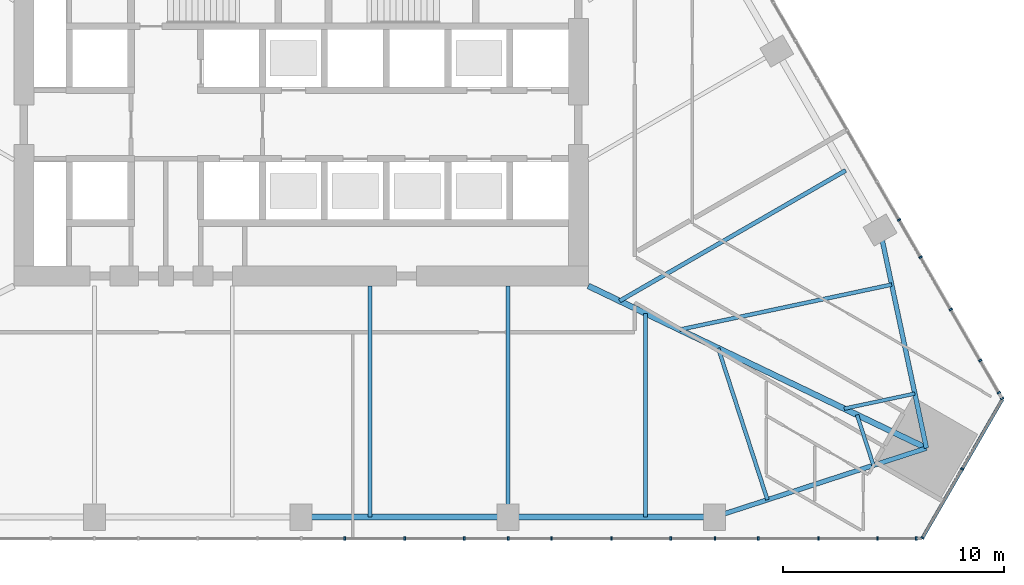
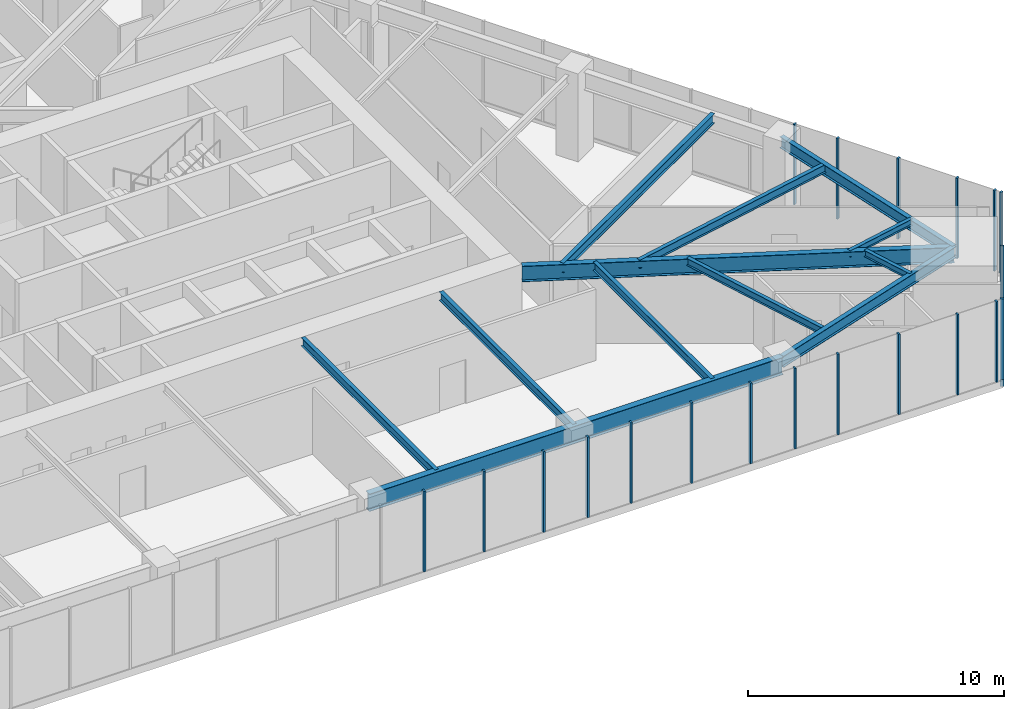
# One storey, part 6 of 22: 21 members, 12 beams, 3 elements without a shape of their own.
"""IFC4 building model written with IfcOpenShell, lengths in metres."""

from ifc_helpers import new_model, si_unit, direction, frame, origin, origin_2d, place, context, subcontext, project, spatial, rectangle, i_section, extrude, material, layer, layer_set, material_profile, profile_set, type_object, element, aggregate, save


model = new_model("IFC4")

# Units and contexts
model_context = context("Model", 3, precision=1e-05, world=origin(), true_north=direction((0.0, 1.0)))
body_context = subcontext(model_context, "Body", "Model", "MODEL_VIEW")
ifc_project = project(units=[si_unit("LENGTHUNIT", "METRE"), si_unit("AREAUNIT", "SQUARE_METRE"), si_unit("VOLUMEUNIT", "CUBIC_METRE"), si_unit("PLANEANGLEUNIT", "RADIAN"), si_unit("MASSUNIT", "GRAM", prefix="KILO")], contexts=[model_context])

# Site, building, storey
site_placement = place(None, origin())
site = spatial("IfcSite", under=ifc_project, at=site_placement, CompositionType="ELEMENT")
building_placement = place(site_placement, origin())
building = spatial("IfcBuilding", under=site, at=building_placement, Name="Firuza Gate Tower and Library", CompositionType="ELEMENT")
storey_placement = place(building_placement, frame((0.0, 0.0, 111.39990234375)))
storey = spatial("IfcBuildingStorey", under=building, at=storey_placement, Name="L25", CompositionType="ELEMENT", Elevation=111.39990234375)

# Curtain wall, members
ifc_material_1 = material(Name="Aluminium 6063-T6", Category="aluminium")
ifc_layer_1 = layer(ifc_material_1, 0.14990234375)
ifc_layer_set_1 = layer_set([ifc_layer_1], Name="Unitised curtain wall, offices")
curtain_wall_type_1 = type_object("IfcCurtainWallType", Name="Unitised curtain wall, offices", PredefinedType="NOTDEFINED", material=ifc_layer_set_1)
placement = place(storey_placement, origin())
curtain_wall_1 = element("IfcCurtainWall", 1, at=placement, inside=storey, type_object=curtain_wall_type_1, Name="CW1 L25 S face", PredefinedType="NOTDEFINED")
ifc_material_2 = material(Name="Aluminium 6063-T6", Category="aluminium")
ifc_material_profile_1 = material_profile(ifc_material_2, rectangle(XDim=0.14990234375, YDim=0.080078125, at=origin_2d()))
ifc_profile_set_1 = profile_set([ifc_material_profile_1], Name="Aluminium 6063-T6")
member_type_1 = type_object("IfcMemberType", Name="Curtain wall mullion 80x150", PredefinedType="MULLION", material=ifc_profile_set_1)
member_1_placement = place(storey_placement, frame((79.684326171875, 54.566162109375, 0.150146484375), z_axis=(0.0, 0.0, 1.0), x_axis=(0.0, 1.0, 0.0)))
member_1 = element("IfcMember", 2, at=member_1_placement, type_object=member_type_1, Name="Mullion", PredefinedType="MULLION", context=body_context, shape_type="SweptSolid", body=[
    extrude(rectangle(XDim=0.14990234375, YDim=0.080078125, at=origin_2d()), origin(), (0.0, 0.0, 1.0), 3.849853515625),
])
member_2_placement = place(storey_placement, frame((84.36865234375, 54.566162109375, 0.150146484375), z_axis=(0.0, 0.0, 1.0), x_axis=(0.0, 1.0, 0.0)))
member_2 = element("IfcMember", 3, at=member_2_placement, type_object=member_type_1, Name="Mullion", PredefinedType="MULLION", context=body_context, shape_type="SweptSolid", body=[
    extrude(rectangle(XDim=0.14990234375, YDim=0.080078125, at=origin_2d()), origin(), (0.0, 0.0, 1.0), 3.849853515625),
])
member_3_placement = place(storey_placement, frame((89.052978515625, 54.566162109375, 0.150146484375), z_axis=(0.0, 0.0, 1.0), x_axis=(0.0, 1.0, 0.0)))
member_3 = element("IfcMember", 4, at=member_3_placement, type_object=member_type_1, Name="Mullion", PredefinedType="MULLION", context=body_context, shape_type="SweptSolid", body=[
    extrude(rectangle(XDim=0.14990234375, YDim=0.080078125, at=origin_2d()), origin(), (0.0, 0.0, 1.0), 3.849853515625),
])
member_4_placement = place(storey_placement, frame((93.7373046875, 54.566162109375, 0.150146484375), z_axis=(0.0, 0.0, 1.0), x_axis=(0.0, 1.0, 0.0)))
member_4 = element("IfcMember", 5, at=member_4_placement, type_object=member_type_1, Name="Mullion", PredefinedType="MULLION", context=body_context, shape_type="SweptSolid", body=[
    extrude(rectangle(XDim=0.14990234375, YDim=0.080078125, at=origin_2d()), origin(), (0.0, 0.0, 1.0), 3.849853515625),
])
member_5_placement = place(storey_placement, frame((98.421630859375, 54.566162109375, 0.150146484375), z_axis=(0.0, 0.0, 1.0), x_axis=(0.0, 1.0, 0.0)))
member_5 = element("IfcMember", 6, at=member_5_placement, type_object=member_type_1, Name="Mullion", PredefinedType="MULLION", context=body_context, shape_type="SweptSolid", body=[
    extrude(rectangle(XDim=0.14990234375, YDim=0.080078125, at=origin_2d()), origin(), (0.0, 0.0, 1.0), 3.849853515625),
])
member_6_placement = place(storey_placement, frame((76.9765625, 54.566162109375, 0.150146484375), z_axis=(0.0, 0.0, 1.0), x_axis=(0.0, 1.0, 0.0)))
member_6 = element("IfcMember", 7, at=member_6_placement, type_object=member_type_1, Name="Mullion", PredefinedType="MULLION", context=body_context, shape_type="SweptSolid", body=[
    extrude(rectangle(XDim=0.14990234375, YDim=0.080078125, at=origin_2d()), origin(), (0.0, 0.0, 1.0), 3.849853515625),
])
member_7_placement = place(storey_placement, frame((82.377685546875, 54.566162109375, 0.150146484375), z_axis=(0.0, 0.0, 1.0), x_axis=(0.0, 1.0, 0.0)))
member_7 = element("IfcMember", 8, at=member_7_placement, type_object=member_type_1, Name="Mullion", PredefinedType="MULLION", context=body_context, shape_type="SweptSolid", body=[
    extrude(rectangle(XDim=0.14990234375, YDim=0.080078125, at=origin_2d()), origin(), (0.0, 0.0, 1.0), 3.849853515625),
])
member_8_placement = place(storey_placement, frame((86.330810546875, 54.566162109375, 0.150146484375), z_axis=(0.0, 0.0, 1.0), x_axis=(0.0, 1.0, 0.0)))
member_8 = element("IfcMember", 9, at=member_8_placement, type_object=member_type_1, Name="Mullion", PredefinedType="MULLION", context=body_context, shape_type="SweptSolid", body=[
    extrude(rectangle(XDim=0.14990234375, YDim=0.080078125, at=origin_2d()), origin(), (0.0, 0.0, 1.0), 3.849853515625),
])
member_9_placement = place(storey_placement, frame((91.73193359375, 54.566162109375, 0.150146484375), z_axis=(0.0, 0.0, 1.0), x_axis=(0.0, 1.0, 0.0)))
member_9 = element("IfcMember", 10, at=member_9_placement, type_object=member_type_1, Name="Mullion", PredefinedType="MULLION", context=body_context, shape_type="SweptSolid", body=[
    extrude(rectangle(XDim=0.14990234375, YDim=0.080078125, at=origin_2d()), origin(), (0.0, 0.0, 1.0), 3.849853515625),
])
member_10_placement = place(storey_placement, frame((95.684814453125, 54.566162109375, 0.150146484375), z_axis=(0.0, 0.0, 1.0), x_axis=(0.0, 1.0, 0.0)))
member_10 = element("IfcMember", 11, at=member_10_placement, type_object=member_type_1, Name="Mullion", PredefinedType="MULLION", context=body_context, shape_type="SweptSolid", body=[
    extrude(rectangle(XDim=0.14990234375, YDim=0.080078125, at=origin_2d()), origin(), (0.0, 0.0, 1.0), 3.849853515625),
])
member_11_placement = place(storey_placement, frame((101.086181640625, 54.566162109375, 0.150146484375), z_axis=(0.0, 0.0, 1.0), x_axis=(0.0, 1.0, 0.0)))
member_11 = element("IfcMember", 12, at=member_11_placement, type_object=member_type_1, Name="Mullion", PredefinedType="MULLION", context=body_context, shape_type="SweptSolid", body=[
    extrude(rectangle(XDim=0.14990234375, YDim=0.080078125, at=origin_2d()), origin(), (0.0, 0.0, 1.0), 3.849853515625),
])
member_12_placement = place(storey_placement, frame((102.83984375, 54.566162109375, 0.150146484375), z_axis=(0.0, 0.0, 1.0), x_axis=(0.0, 1.0, 0.0)))
member_12 = element("IfcMember", 13, at=member_12_placement, type_object=member_type_1, Name="Mullion", PredefinedType="MULLION", context=body_context, shape_type="SweptSolid", body=[
    extrude(rectangle(XDim=0.14990234375, YDim=0.080078125, at=origin_2d()), origin(), (0.0, 0.0, 1.0), 3.849853515625),
])
aggregate(curtain_wall_1, [member_1, member_2, member_3, member_4, member_5, member_6, member_7, member_8, member_9, member_10, member_11, member_12])

ifc_material_3 = material(Name="Aluminium 6063-T6", Category="aluminium")
ifc_layer_2 = layer(ifc_material_3, 0.14990234375)
ifc_layer_set_2 = layer_set([ifc_layer_2], Name="Corner curtain wall, chamfers")
curtain_wall_type_2 = type_object("IfcCurtainWallType", Name="Corner curtain wall, chamfers", PredefinedType="NOTDEFINED", material=ifc_layer_set_2)
curtain_wall_2 = element("IfcCurtainWall", 14, at=placement, inside=storey, type_object=curtain_wall_type_2, Name="CW4 L25 SE corner", PredefinedType="NOTDEFINED")
member_13_placement = place(storey_placement, frame((103.1259765625, 54.600830078125, 0.150146484375), z_axis=(0.0, 0.0, 1.0), x_axis=(-0.866025403784, 0.5, 0.0)))
member_13 = element("IfcMember", 15, at=member_13_placement, type_object=member_type_1, Name="Mullion", PredefinedType="MULLION", context=body_context, shape_type="SweptSolid", body=[
    extrude(rectangle(XDim=0.14990234375, YDim=0.080078125, at=origin_2d()), origin(), (0.0, 0.0, 1.0), 3.849853515625),
])
member_14_placement = place(storey_placement, frame((104.927490234375, 57.72119140625, 0.150146484375), z_axis=(0.0, 0.0, 1.0), x_axis=(-0.866025403784, 0.5, 0.0)))
member_14 = element("IfcMember", 16, at=member_14_placement, type_object=member_type_1, Name="Mullion", PredefinedType="MULLION", context=body_context, shape_type="SweptSolid", body=[
    extrude(rectangle(XDim=0.14990234375, YDim=0.080078125, at=origin_2d()), origin(), (0.0, 0.0, 1.0), 3.849853515625),
])

curtain_wall_3 = element("IfcCurtainWall", 17, at=placement, inside=storey, type_object=curtain_wall_type_1, Name="CW1 L25 E face", PredefinedType="NOTDEFINED")
member_15_placement = place(storey_placement, frame((106.729248046875, 60.9111328125, 0.150146484375), z_axis=(0.0, 0.0, 1.0), x_axis=(-0.866025403784, -0.5, 0.0)))
member_15 = element("IfcMember", 18, at=member_15_placement, type_object=member_type_1, Name="Mullion", PredefinedType="MULLION", context=body_context, shape_type="SweptSolid", body=[
    extrude(rectangle(XDim=0.14990234375, YDim=0.080078125, at=origin_2d()), origin(), (0.0, 0.0, 1.0), 3.849853515625),
])
member_16_placement = place(storey_placement, frame((104.406982421875, 64.933349609375, 0.150146484375), z_axis=(0.0, 0.0, 1.0), x_axis=(-0.866025403784, -0.5, 0.0)))
member_16 = element("IfcMember", 19, at=member_16_placement, type_object=member_type_1, Name="Mullion", PredefinedType="MULLION", context=body_context, shape_type="SweptSolid", body=[
    extrude(rectangle(XDim=0.14990234375, YDim=0.080078125, at=origin_2d()), origin(), (0.0, 0.0, 1.0), 3.849853515625),
])
member_17_placement = place(storey_placement, frame((102.06494140625, 68.989990234375, 0.150146484375), z_axis=(0.0, 0.0, 1.0), x_axis=(-0.866025403784, -0.5, 0.0)))
member_17 = element("IfcMember", 20, at=member_17_placement, type_object=member_type_1, Name="Mullion", PredefinedType="MULLION", context=body_context, shape_type="SweptSolid", body=[
    extrude(rectangle(XDim=0.14990234375, YDim=0.080078125, at=origin_2d()), origin(), (0.0, 0.0, 1.0), 3.849853515625),
])
member_18_placement = place(storey_placement, frame((106.583740234375, 61.163330078125, 0.150146484375), z_axis=(0.0, 0.0, 1.0), x_axis=(-0.866025403784, -0.5, 0.0)))
member_18 = element("IfcMember", 21, at=member_18_placement, type_object=member_type_1, Name="Mullion", PredefinedType="MULLION", context=body_context, shape_type="SweptSolid", body=[
    extrude(rectangle(XDim=0.14990234375, YDim=0.080078125, at=origin_2d()), origin(), (0.0, 0.0, 1.0), 3.849853515625),
])
member_19_placement = place(storey_placement, frame((105.7392578125, 62.625732421875, 0.150146484375), z_axis=(0.0, 0.0, 1.0), x_axis=(-0.866025403784, -0.5, 0.0)))
member_19 = element("IfcMember", 22, at=member_19_placement, type_object=member_type_1, Name="Mullion", PredefinedType="MULLION", context=body_context, shape_type="SweptSolid", body=[
    extrude(rectangle(XDim=0.14990234375, YDim=0.080078125, at=origin_2d()), origin(), (0.0, 0.0, 1.0), 3.849853515625),
])
member_20_placement = place(storey_placement, frame((103.038818359375, 67.30322265625, 0.150146484375), z_axis=(0.0, 0.0, 1.0), x_axis=(-0.866025403784, -0.5, 0.0)))
member_20 = element("IfcMember", 23, at=member_20_placement, type_object=member_type_1, Name="Mullion", PredefinedType="MULLION", context=body_context, shape_type="SweptSolid", body=[
    extrude(rectangle(XDim=0.14990234375, YDim=0.080078125, at=origin_2d()), origin(), (0.0, 0.0, 1.0), 3.849853515625),
])
aggregate(curtain_wall_3, [member_15, member_16, member_17, member_18, member_19, member_20])

# Member
ifc_material_4 = material(Name="Aluminium 6063-T6", Category="aluminium")
ifc_material_profile_2 = material_profile(ifc_material_4, rectangle(XDim=0.14990234375, YDim=0.35009765625, at=origin_2d()))
ifc_profile_set_2 = profile_set([ifc_material_profile_2], Name="Aluminium 6063-T6")
member_type_2 = type_object("IfcMemberType", Name="Curtain wall transom 350x150", PredefinedType="USERDEFINED", material=ifc_profile_set_2)
member_21_placement = place(storey_placement, frame((103.10595703125, 54.566162109375, -0.02490234375), z_axis=(0.500005719219, 0.866022101766, 0.0), x_axis=(-0.866022101766, 0.500005719219, 0.0)))
member_21 = element("IfcMember", 24, at=member_21_placement, type_object=member_type_2, Name="Transom", ObjectType="TRANSOM", PredefinedType="USERDEFINED", context=body_context, shape_type="SweptSolid", body=[
    extrude(rectangle(XDim=0.14990234375, YDim=0.35009765625, at=origin_2d()), origin(), (0.0, 0.0, 1.0), 7.28662109375),
])

aggregate(curtain_wall_2, [member_13, member_14, member_21])

# Beams
ifc_material_5 = material(Name="Steel S355", Category="steel")
ifc_material_profile_3 = material_profile(ifc_material_5, i_section(OverallWidth=0.1650390625, OverallDepth=0.31005859375, WebThickness=0.005859375, FlangeThickness=0.009765625, at=origin_2d()))
ifc_profile_set_3 = profile_set([ifc_material_profile_3], Name="Steel S355")
beam_type_1 = type_object("IfcBeamType", Name="W310x39 Floor beam", PredefinedType="JOIST", material=ifc_profile_set_3)
beam_1_placement = place(storey_placement, frame((100.905029296875, 57.87939453125, 3.84521484375), z_axis=(-0.308998819995, 0.951062421317, 0.0), x_axis=(-0.951062421317, -0.308998819995, 0.0)))
element("IfcBeam", 25, at=beam_1_placement, inside=storey, type_object=beam_type_1, Name="Floor beam L25 s31", PredefinedType="JOIST", context=body_context, shape_type="SweptSolid", body=[
    extrude(i_section(OverallWidth=0.1650390625, OverallDepth=0.31005859375, WebThickness=0.005859375, FlangeThickness=0.009765625, at=origin_2d()), origin(), (0.0, 0.0, 1.0), 2.404296875),
])
beam_2_placement = place(storey_placement, frame((102.779296875, 61.1259765625, 3.84521484375), z_axis=(-0.97813855531, -0.207954241639, 0.0), x_axis=(0.207954241639, -0.97813855531, 0.0)))
element("IfcBeam", 26, at=beam_2_placement, inside=storey, type_object=beam_type_1, Name="Floor beam L25 s40", PredefinedType="JOIST", context=body_context, shape_type="SweptSolid", body=[
    extrude(i_section(OverallWidth=0.1650390625, OverallDepth=0.31005859375, WebThickness=0.005859375, FlangeThickness=0.009765625, at=origin_2d()), origin(), (0.0, 0.0, 1.0), 3.27197265625),
])
ifc_material_6 = material(Name="Steel S355", Category="steel")
ifc_material_profile_4 = material_profile(ifc_material_6, i_section(OverallWidth=0.1708984375, OverallDepth=0.35498046875, WebThickness=0.007080078125, FlangeThickness=0.01171875, at=origin_2d()))
ifc_profile_set_4 = profile_set([ifc_material_profile_4], Name="Steel S355")
beam_type_2 = type_object("IfcBeamType", Name="W360x51 Floor beam", PredefinedType="JOIST", material=ifc_profile_set_4)
beam_3_placement = place(storey_placement, frame((96.107177734375, 56.320556640625, 3.822509765625), z_axis=(-0.309008767466, 0.951059189341, 0.0), x_axis=(-0.951059189341, -0.309008767466, 0.0)))
element("IfcBeam", 27, at=beam_3_placement, inside=storey, type_object=beam_type_2, Name="Floor beam L25 s30", PredefinedType="JOIST", context=body_context, shape_type="SweptSolid", body=[
    extrude(i_section(OverallWidth=0.1708984375, OverallDepth=0.35498046875, WebThickness=0.007080078125, FlangeThickness=0.01171875, at=origin_2d()), origin(), (0.0, 0.0, 1.0), 7.212646484375),
])
ifc_material_7 = material(Name="Steel S355", Category="steel")
ifc_material_profile_5 = material_profile(ifc_material_7, i_section(OverallWidth=0.177978515625, OverallDepth=0.406982421875, WebThickness=0.0078125, FlangeThickness=0.0126953125, at=origin_2d()))
ifc_profile_set_5 = profile_set([ifc_material_profile_5], Name="Steel S355")
beam_type_3 = type_object("IfcBeamType", Name="W410x60 Floor beam", PredefinedType="JOIST", material=ifc_profile_set_5)
for number, where, z_axis, x_axis, name in (
    (28, (78.1181640625, 55.541015625, 3.796630859375), (0.0, 1.0, 0.0), (-1.0, 0.0, 0.0), "Floor beam L25 s23"),
    (29, (84.354248046875, 55.541015625, 3.796630859375), (0.0, 1.0, 0.0), (-1.0, 0.0, 0.0), "Floor beam L25 s24"),
):
    element("IfcBeam", number, at=place(storey_placement, frame(where, z_axis=z_axis, x_axis=x_axis)), inside=storey, type_object=beam_type_3, Name=name, PredefinedType="JOIST", context=body_context, shape_type="SweptSolid", body=[
        extrude(i_section(OverallWidth=0.177978515625, OverallDepth=0.406982421875, WebThickness=0.0078125, FlangeThickness=0.0126953125, at=origin_2d()), origin(), (0.0, 0.0, 1.0), 10.458984375),
    ])
beam_4_placement = place(storey_placement, frame((90.59033203125, 55.541015625, 3.796630859375), z_axis=(0.0, 1.0, 0.0), x_axis=(-1.0, 0.0, 0.0)))
element("IfcBeam", 30, at=beam_4_placement, inside=storey, type_object=beam_type_3, Name="Floor beam L25 s25", PredefinedType="JOIST", context=body_context, shape_type="SweptSolid", body=[
    extrude(i_section(OverallWidth=0.177978515625, OverallDepth=0.406982421875, WebThickness=0.0078125, FlangeThickness=0.0126953125, at=origin_2d()), origin(), (0.0, 0.0, 1.0), 9.21630859375),
])
beam_5_placement = place(storey_placement, frame((101.73046875, 66.060302734375, 3.796630859375), z_axis=(-0.978144689505, -0.207925386601, 0.0), x_axis=(0.207925386601, -0.978144689505, 0.0)))
element("IfcBeam", 31, at=beam_5_placement, inside=storey, type_object=beam_type_3, Name="Floor beam L25 s41", PredefinedType="JOIST", context=body_context, shape_type="SweptSolid", body=[
    extrude(i_section(OverallWidth=0.177978515625, OverallDepth=0.406982421875, WebThickness=0.0078125, FlangeThickness=0.0126953125, at=origin_2d()), origin(), (0.0, 0.0, 1.0), 9.816162109375),
])
ifc_material_8 = material(Name="Steel S355", Category="steel")
ifc_material_profile_6 = material_profile(ifc_material_8, i_section(OverallWidth=0.18994140625, OverallDepth=0.45703125, WebThickness=0.009033203125, FlangeThickness=0.014404296875, at=origin_2d()))
ifc_profile_set_6 = profile_set([ifc_material_profile_6], Name="Steel S355")
beam_type_4 = type_object("IfcBeamType", Name="W460x74 Floor beam", PredefinedType="JOIST", material=ifc_profile_set_6)
beam_6_placement = place(storey_placement, frame((99.64697265625, 71.227783203125, 3.771484375), z_axis=(-0.866025562448, -0.499999725187, 0.0), x_axis=(0.499999725187, -0.866025562448, 0.0)))
element("IfcBeam", 32, at=beam_6_placement, inside=storey, type_object=beam_type_4, Name="Floor beam L25 s50", PredefinedType="JOIST", context=body_context, shape_type="SweptSolid", body=[
    extrude(i_section(OverallWidth=0.18994140625, OverallDepth=0.45703125, WebThickness=0.009033203125, FlangeThickness=0.014404296875, at=origin_2d()), origin(), (0.0, 0.0, 1.0), 11.81396484375),
])
ifc_material_9 = material(Name="Steel S355", Category="steel")
ifc_material_profile_7 = material_profile(ifc_material_9, i_section(OverallWidth=0.212890625, OverallDepth=0.5390625, WebThickness=0.01171875, FlangeThickness=0.018798828125, at=origin_2d()))
ifc_profile_set_7 = profile_set([ifc_material_profile_7], Name="Steel S355")
beam_type_5 = type_object("IfcBeamType", Name="W530x109 Edge beam", PredefinedType="SPANDREL", material=ifc_profile_set_7)
beam_7_placement = place(storey_placement, frame((93.70849609375, 55.541015625, 3.730712890625), z_axis=(0.951056472923, 0.309017127862, 0.0), x_axis=(-0.309017127862, 0.951056472923, 0.0)))
element("IfcBeam", 33, at=beam_7_placement, inside=storey, type_object=beam_type_5, Name="Edge beam L25 e30", PredefinedType="SPANDREL", context=body_context, shape_type="SweptSolid", body=[
    extrude(i_section(OverallWidth=0.212890625, OverallDepth=0.5390625, WebThickness=0.01171875, FlangeThickness=0.018798828125, at=origin_2d()), origin(), (0.0, 0.0, 1.0), 10.089111328125),
])
beam_8_placement = place(storey_placement, frame((103.3037109375, 58.65869140625, 3.730712890625), z_axis=(-0.207907664892, 0.978148456462, 0.0), x_axis=(-0.978148456462, -0.207907664892, 0.0)))
element("IfcBeam", 34, at=beam_8_placement, inside=storey, type_object=beam_type_5, Name="Edge beam L25 e40", PredefinedType="SPANDREL", context=body_context, shape_type="SweptSolid", body=[
    extrude(i_section(OverallWidth=0.212890625, OverallDepth=0.5390625, WebThickness=0.01171875, FlangeThickness=0.018798828125, at=origin_2d()), origin(), (0.0, 0.0, 1.0), 10.08935546875),
])
ifc_material_10 = material(Name="Steel S355", Category="steel")
ifc_material_profile_8 = material_profile(ifc_material_10, i_section(OverallWidth=0.264892578125, OverallDepth=0.7529296875, WebThickness=0.01318359375, FlangeThickness=0.01708984375, at=origin_2d()))
ifc_profile_set_8 = profile_set([ifc_material_profile_8], Name="Steel S355")
beam_type_6 = type_object("IfcBeamType", Name="W760x147 Girder", PredefinedType="BEAM", material=ifc_profile_set_8)
beam_9_placement = place(storey_placement, frame((103.3037109375, 58.65869140625, 3.62353515625), z_axis=(-0.901625831299, 0.43251689023, 0.0), x_axis=(-0.43251689023, -0.901625831299, 0.0)))
element("IfcBeam", 35, at=beam_9_placement, inside=storey, type_object=beam_type_6, Name="Girder L25 gSE", PredefinedType="BEAM", context=body_context, shape_type="SweptSolid", body=[
    extrude(i_section(OverallWidth=0.264892578125, OverallDepth=0.7529296875, WebThickness=0.01318359375, FlangeThickness=0.01708984375, at=origin_2d()), origin(), (0.0, 0.0, 1.0), 16.973388671875),
])
ifc_material_11 = material(Name="Steel S355", Category="steel")
ifc_material_profile_9 = material_profile(ifc_material_11, i_section(OverallWidth=0.2919921875, OverallDepth=0.8349609375, WebThickness=0.013916015625, FlangeThickness=0.018798828125, at=origin_2d()))
ifc_profile_set_9 = profile_set([ifc_material_profile_9], Name="Steel S355")
beam_type_7 = type_object("IfcBeamType", Name="W840x176 Edge beam", PredefinedType="SPANDREL", material=ifc_profile_set_9)
beam_10_placement = place(storey_placement, frame((75.0, 55.541015625, 3.58251953125), z_axis=(1.0, 0.0, 0.0), x_axis=(0.0, 1.0, 0.0)))
element("IfcBeam", 36, at=beam_10_placement, inside=storey, type_object=beam_type_7, Name="Edge beam L25 e22", PredefinedType="SPANDREL", context=body_context, shape_type="SweptSolid", body=[
    extrude(i_section(OverallWidth=0.2919921875, OverallDepth=0.8349609375, WebThickness=0.013916015625, FlangeThickness=0.018798828125, at=origin_2d()), origin(), (0.0, 0.0, 1.0), 18.70849609375),
])

save(model, "model.ifc")
